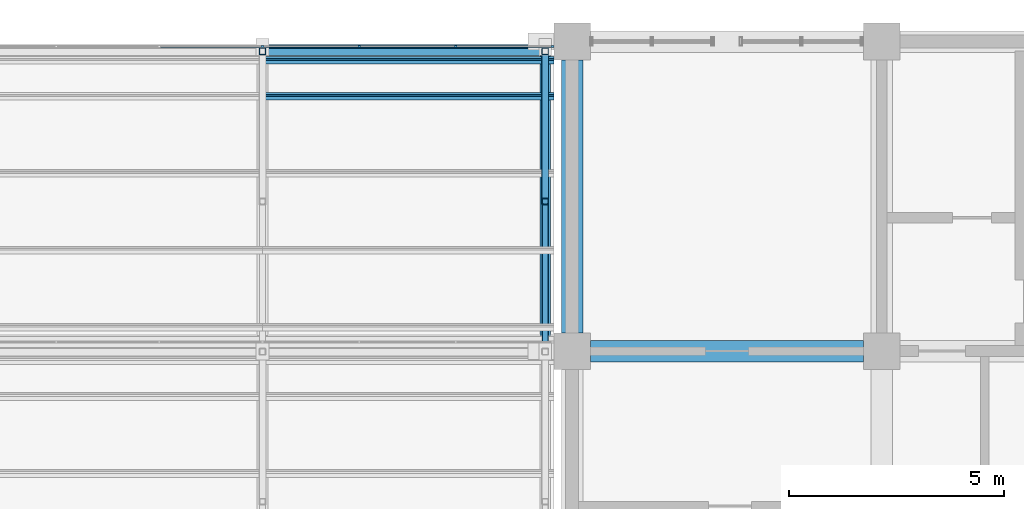
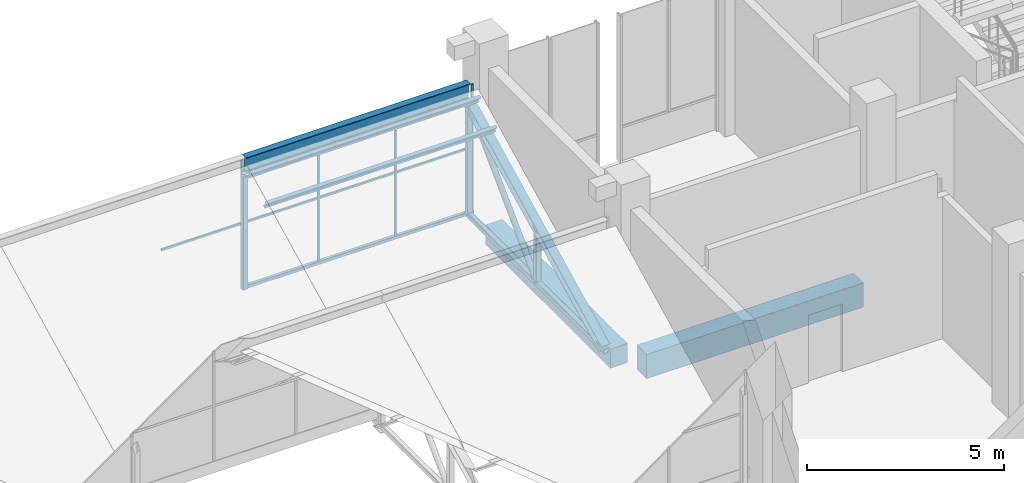
# One storey, part 57 of 83: 18 members, 2 beams, 2 elements without a shape of their own.
"""IFC4 building model written with IfcOpenShell, lengths in metres."""

from ifc_helpers import new_model, si_unit, direction, frame, origin, origin_2d, place, context, subcontext, project, spatial, rectangle, hollow_rectangle, hollow_circle, i_section, extrude, material, material_profile, profile_set, type_object, element, aggregate, save


model = new_model("IFC4")

# Units and contexts
model_context = context("Model", 3, precision=1e-05, world=origin(), true_north=direction((0.0, 1.0)))
body_context = subcontext(model_context, "Body", "Model", "MODEL_VIEW")
ifc_project = project(units=[si_unit("LENGTHUNIT", "METRE"), si_unit("AREAUNIT", "SQUARE_METRE"), si_unit("VOLUMEUNIT", "CUBIC_METRE"), si_unit("PLANEANGLEUNIT", "RADIAN"), si_unit("MASSUNIT", "GRAM", prefix="KILO")], contexts=[model_context])

# Site, building, storey
site_placement = place(None, origin())
site = spatial("IfcSite", under=ifc_project, at=site_placement, CompositionType="ELEMENT")
building_placement = place(site_placement, origin())
building = spatial("IfcBuilding", under=site, at=building_placement, Name="Silangan Lancet Faculty of Sciences", CompositionType="ELEMENT")
storey_placement = place(building_placement, frame((0.0, 0.0, 11.39990234375)))
storey = spatial("IfcBuildingStorey", under=building, at=storey_placement, Name="L02", CompositionType="ELEMENT", Elevation=11.39990234375)

# Beams
ifc_material_1 = material(Name="Concrete C40/50", Category="concrete")
ifc_material_profile_1 = material_profile(ifc_material_1, rectangle(XDim=0.5, YDim=0.60009765625, at=origin_2d()), Name="RC 500x600")
ifc_profile_set_1 = profile_set([ifc_material_profile_1], Name="Concrete C40/50")
beam_type_1 = type_object("IfcBeamType", Name="BEAM RC 500x600", PredefinedType="BEAM", material=ifc_profile_set_1)
beam_1_placement = place(storey_placement, frame((72.0, 50.824951171875, -0.5498046875), z_axis=(0.0, 1.0, 0.0), x_axis=(-1.0, 0.0, 0.0)))
element("IfcBeam", 1, at=beam_1_placement, inside=storey, type_object=beam_type_1, Name="BM-L02-11H-11I", PredefinedType="BEAM", context=body_context, shape_type="SweptSolid", body=[
    extrude(rectangle(XDim=0.5, YDim=0.60009765625, at=origin_2d()), origin(), (0.0, 0.0, 1.0), 6.35009765625),
])
ifc_material_2 = material(Name="Concrete C40/50", Category="concrete")
ifc_material_profile_2 = material_profile(ifc_material_2, rectangle(XDim=0.5, YDim=0.75, at=origin_2d()), Name="RC 500x750")
ifc_profile_set_2 = profile_set([ifc_material_profile_2], Name="Concrete C40/50")
beam_type_2 = type_object("IfcBeamType", Name="BEAM RC 500x750", PredefinedType="BEAM", material=ifc_profile_set_2)
beam_2_placement = place(storey_placement, frame((72.425048828125, 50.39990234375, -0.625), z_axis=(1.0, 0.0, 0.0), x_axis=(0.0, 1.0, 0.0)))
element("IfcBeam", 2, at=beam_2_placement, inside=storey, type_object=beam_type_2, Name="BM-L02-11H-12H", PredefinedType="BEAM", context=body_context, shape_type="SweptSolid", body=[
    extrude(rectangle(XDim=0.5, YDim=0.75, at=origin_2d()), origin(), (0.0, 0.0, 1.0), 6.349853515625),
])

# Members
ifc_material_3 = material(Name="Steel SS400", Category="steel")
ifc_material_profile_3 = material_profile(ifc_material_3, i_section(OverallWidth=0.199951171875, OverallDepth=0.5, WebThickness=0.010009765625, FlangeThickness=0.01611328125, FilletRadius=0.02001953125, at=origin_2d()), Name="H 500x200x10x16")
ifc_profile_set_3 = profile_set([ifc_material_profile_3], Name="Steel SS400")
member_type_1 = type_object("IfcMemberType", Name="Exposed ridge beam H 500x200x10x16", PredefinedType="MEMBER", material=ifc_profile_set_3)
member_1_placement = place(storey_placement, frame((64.800048828125, 57.3701171875, 3.942626953125), z_axis=(1.0, 0.0, 0.0), x_axis=(0.0, 1.0, 0.0)))
element("IfcMember", 3, at=member_1_placement, inside=storey, type_object=member_type_1, Name="Exposed ridge beam NAB-3-6", PredefinedType="MEMBER", context=body_context, shape_type="SweptSolid", body=[
    extrude(i_section(OverallWidth=0.199951171875, OverallDepth=0.5, WebThickness=0.010009765625, FlangeThickness=0.01611328125, FilletRadius=0.02001953125, at=origin_2d()), origin(), (0.0, 0.0, 1.0), 6.574951171875),
])
ifc_material_4 = material(Name="Steel STKR400", Category="steel")
ifc_material_profile_4 = material_profile(ifc_material_4, hollow_rectangle(XDim=0.10009765625, YDim=0.10009765625, WallThickness=0.006103515625, InnerFilletRadius=0.006103515625, OuterFilletRadius=0.011962890625, at=origin_2d()), Name="SHS 100x100x6.0")
ifc_profile_set_4 = profile_set([ifc_material_profile_4], Name="Steel STKR400")
member_type_2 = type_object("IfcMemberType", Name="Light sill SHS 100x100x6.0", PredefinedType="MEMBER", material=ifc_profile_set_4)
member_2_placement = place(storey_placement, frame((64.800048828125, 57.485107421875, 0.050048828125), z_axis=(1.0, 0.0, 0.0), x_axis=(0.0, 1.0, 0.0)))
element("IfcMember", 4, at=member_2_placement, inside=storey, type_object=member_type_2, Name="North light sill NAB-3-6", PredefinedType="MEMBER", context=body_context, shape_type="SweptSolid", body=[
    extrude(hollow_rectangle(XDim=0.10009765625, YDim=0.10009765625, WallThickness=0.006103515625, InnerFilletRadius=0.006103515625, OuterFilletRadius=0.011962890625, at=origin_2d()), origin(), (0.0, 0.0, 1.0), 6.77490234375),
])

# Curtain wall, members
ifc_material_5 = material(Name="Aluminium and laminated glass", Category="aluminium")
curtain_wall_type = type_object("IfcCurtainWallType", Name="North light glazing system", PredefinedType="NOTDEFINED", material=ifc_material_5)
curtain_wall_1_placement = place(storey_placement, origin())
curtain_wall_1 = element("IfcCurtainWall", 5, at=curtain_wall_1_placement, inside=storey, type_object=curtain_wall_type, Name="North light glazing NAB-3-6", PredefinedType="NOTDEFINED")
ifc_material_6 = material(Name="Aluminium 6063-T6", Category="aluminium")
ifc_material_profile_5 = material_profile(ifc_material_6, rectangle(XDim=0.06005859375, YDim=0.050048828125, at=origin_2d()), Name="AL 60x50")
ifc_profile_set_5 = profile_set([ifc_material_profile_5], Name="Aluminium 6063-T6")
member_type_3 = type_object("IfcMemberType", Name="North light mullion 60x50", PredefinedType="MULLION", material=ifc_profile_set_5)
member_3_placement = place(storey_placement, frame((64.800048828125, 57.485107421875, 0.10009765625), z_axis=(0.0, 0.0, 1.0), x_axis=(1.0, 0.0, 0.0)))
member_3 = element("IfcMember", 6, at=member_3_placement, type_object=member_type_3, Name="North light mullion NAB-3-6 1", PredefinedType="MULLION", context=body_context, shape_type="SweptSolid", body=[
    extrude(rectangle(XDim=0.06005859375, YDim=0.050048828125, at=origin_2d()), origin(), (0.0, 0.0, 1.0), 3.89404296875),
])
member_4_placement = place(storey_placement, frame((67.04833984375, 57.485107421875, 0.10009765625), z_axis=(0.0, 0.0, 1.0), x_axis=(1.0, 0.0, 0.0)))
member_4 = element("IfcMember", 7, at=member_4_placement, type_object=member_type_3, Name="North light mullion NAB-3-6 2", PredefinedType="MULLION", context=body_context, shape_type="SweptSolid", body=[
    extrude(rectangle(XDim=0.06005859375, YDim=0.050048828125, at=origin_2d()), origin(), (0.0, 0.0, 1.0), 3.89404296875),
])
member_5_placement = place(storey_placement, frame((69.296630859375, 57.485107421875, 0.10009765625), z_axis=(0.0, 0.0, 1.0), x_axis=(1.0, 0.0, 0.0)))
member_5 = element("IfcMember", 8, at=member_5_placement, type_object=member_type_3, Name="North light mullion NAB-3-6 3", PredefinedType="MULLION", context=body_context, shape_type="SweptSolid", body=[
    extrude(rectangle(XDim=0.06005859375, YDim=0.050048828125, at=origin_2d()), origin(), (0.0, 0.0, 1.0), 3.89404296875),
])
member_6_placement = place(storey_placement, frame((71.544921875, 57.485107421875, 0.10009765625), z_axis=(0.0, 0.0, 1.0), x_axis=(1.0, 0.0, 0.0)))
member_6 = element("IfcMember", 9, at=member_6_placement, type_object=member_type_3, Name="North light mullion NAB-3-6 4", PredefinedType="MULLION", context=body_context, shape_type="SweptSolid", body=[
    extrude(rectangle(XDim=0.06005859375, YDim=0.050048828125, at=origin_2d()), origin(), (0.0, 0.0, 1.0), 3.89404296875),
])

# Curtain wall, member
curtain_wall_2_placement = place(storey_placement, origin())
curtain_wall_2 = element("IfcCurtainWall", 10, at=curtain_wall_2_placement, inside=storey, type_object=curtain_wall_type, Name="North light glazing NAB-3-5", PredefinedType="NOTDEFINED")
ifc_material_7 = material(Name="Aluminium 6063-T6", Category="aluminium")
ifc_material_profile_6 = material_profile(ifc_material_7, rectangle(XDim=0.050048828125, YDim=0.06005859375, at=origin_2d()), Name="AL 50x60")
ifc_profile_set_6 = profile_set([ifc_material_profile_6], Name="Aluminium 6063-T6")
member_type_4 = type_object("IfcMemberType", Name="North light transom 50x60", PredefinedType="USERDEFINED", material=ifc_profile_set_6)
member_7_placement = place(storey_placement, frame((62.429931640625, 57.485107421875, 2.047119140625), z_axis=(1.0, 0.0, 0.0), x_axis=(0.0, 1.0, 0.0)))
member_7 = element("IfcMember", 11, at=member_7_placement, type_object=member_type_4, Name="North light transom NAB-3-5 3", ObjectType="TRANSOM", PredefinedType="USERDEFINED", context=body_context, shape_type="SweptSolid", body=[
    extrude(rectangle(XDim=0.050048828125, YDim=0.06005859375, at=origin_2d()), origin(), (0.0, 0.0, 1.0), 2.340087890625),
])
aggregate(curtain_wall_2, [member_7])

# Member
member_8_placement = place(storey_placement, frame((64.830078125, 57.485107421875, 2.047119140625), z_axis=(1.0, 0.0, 0.0), x_axis=(0.0, 1.0, 0.0)))
member_8 = element("IfcMember", 12, at=member_8_placement, type_object=member_type_4, Name="North light transom NAB-3-6 1", ObjectType="TRANSOM", PredefinedType="USERDEFINED", context=body_context, shape_type="SweptSolid", body=[
    extrude(rectangle(XDim=0.050048828125, YDim=0.06005859375, at=origin_2d()), origin(), (0.0, 0.0, 1.0), 2.188232421875),
])

member_9_placement = place(storey_placement, frame((67.078369140625, 57.485107421875, 2.047119140625), z_axis=(1.0, 0.0, 0.0), x_axis=(0.0, 1.0, 0.0)))
member_9 = element("IfcMember", 13, at=member_9_placement, type_object=member_type_4, Name="North light transom NAB-3-6 2", ObjectType="TRANSOM", PredefinedType="USERDEFINED", context=body_context, shape_type="SweptSolid", body=[
    extrude(rectangle(XDim=0.050048828125, YDim=0.06005859375, at=origin_2d()), origin(), (0.0, 0.0, 1.0), 2.188232421875),
])

member_10_placement = place(storey_placement, frame((69.32666015625, 57.485107421875, 2.047119140625), z_axis=(1.0, 0.0, 0.0), x_axis=(0.0, 1.0, 0.0)))
member_10 = element("IfcMember", 14, at=member_10_placement, type_object=member_type_4, Name="North light transom NAB-3-6 3", ObjectType="TRANSOM", PredefinedType="USERDEFINED", context=body_context, shape_type="SweptSolid", body=[
    extrude(rectangle(XDim=0.050048828125, YDim=0.06005859375, at=origin_2d()), origin(), (0.0, 0.0, 1.0), 2.248291015625),
])

aggregate(curtain_wall_1, [member_3, member_4, member_5, member_6, member_8, member_9, member_10])

# Members
ifc_material_8 = material(Name="Steel SS400", Category="steel")
ifc_material_profile_7 = material_profile(ifc_material_8, i_section(OverallWidth=0.10009765625, OverallDepth=0.199951171875, WebThickness=0.005615234375, FlangeThickness=0.008056640625, FilletRadius=0.008056640625, at=origin_2d()), Name="H 200x100x5.5x8")
ifc_profile_set_7 = profile_set([ifc_material_profile_7], Name="Steel SS400")
member_type_5 = type_object("IfcMemberType", Name="Sheeting purlin H 200x100x5.5x8", PredefinedType="PURLIN", material=ifc_profile_set_7)
for number, where, z_axis, x_axis, name in (
    (15, (64.800048828125, 56.3251953125, 3.31494140625), (1.0, 0.0, 0.0), (0.0, 0.894427192382, 0.447213592736), "Sheeting purlin NAB-3-6 4"),
    (16, (64.800048828125, 57.162109375, 3.7333984375), (1.0, 0.0, 0.0), (0.0, 0.894427192382, 0.447213592736), "Sheeting purlin NAB-3-6 5"),
):
    element("IfcMember", number, at=place(storey_placement, frame(where, z_axis=z_axis, x_axis=x_axis)), inside=storey, type_object=member_type_5, Name=name, PredefinedType="PURLIN", context=body_context, shape_type="SweptSolid", body=[
        extrude(i_section(OverallWidth=0.10009765625, OverallDepth=0.199951171875, WebThickness=0.005615234375, FlangeThickness=0.008056640625, FilletRadius=0.008056640625, at=origin_2d()), origin(), (0.0, 0.0, 1.0), 6.77490234375),
    ])
ifc_material_9 = material(Name="Steel STKR400", Category="steel")
ifc_material_profile_8 = material_profile(ifc_material_9, hollow_rectangle(XDim=0.14990234375, YDim=0.14990234375, WallThickness=0.009033203125, InnerFilletRadius=0.009033203125, OuterFilletRadius=0.01806640625, at=origin_2d()), Name="SHS 150x150x9.0")
ifc_profile_set_8 = profile_set([ifc_material_profile_8], Name="Steel STKR400")
member_type_6 = type_object("IfcMemberType", Name="Truss bottom chord SHS 150x150x9.0", PredefinedType="CHORD", material=ifc_profile_set_8)
member_11_placement = place(storey_placement, frame((71.375, 50.38818359375, 0.09521484375), z_axis=(0.0, 1.0, 0.0), x_axis=(-1.0, 0.0, 0.0)))
element("IfcMember", 17, at=member_11_placement, inside=storey, type_object=member_type_6, Name="Truss 7 bottom chord 3", PredefinedType="CHORD", context=body_context, shape_type="SweptSolid", body=[
    extrude(hollow_rectangle(XDim=0.14990234375, YDim=0.14990234375, WallThickness=0.009033203125, InnerFilletRadius=0.009033203125, OuterFilletRadius=0.01806640625, at=origin_2d()), origin(), (0.0, 0.0, 1.0), 6.98193359375),
])
ifc_material_10 = material(Name="Steel STK400", Category="steel")
ifc_material_profile_9 = material_profile(ifc_material_10, hollow_circle(Radius=0.08251953125, WallThickness=0.0048828125, at=origin_2d()), Name="CHS 165.2x5.0")
ifc_profile_set_9 = profile_set([ifc_material_profile_9], Name="Steel STK400")
member_type_7 = type_object("IfcMemberType", Name="Truss diagonal CHS 165.2x5.0", PredefinedType="BRACE", material=ifc_profile_set_9)
member_12_placement = place(storey_placement, frame((71.375, 53.879150390625, 0.09521484375), z_axis=(0.0, 0.707131507361, 0.707082054147), x_axis=(-1.0, 0.0, 0.0)))
element("IfcMember", 18, at=member_12_placement, inside=storey, type_object=member_type_7, Name="Truss 7 diagonal 3", PredefinedType="BRACE", context=body_context, shape_type="SweptSolid", body=[
    extrude(hollow_circle(Radius=0.08251953125, WallThickness=0.0048828125, at=origin_2d()), origin(), (0.0, 0.0, 1.0), 4.936767578125),
])
ifc_material_11 = material(Name="Steel STKR400", Category="steel")
ifc_material_profile_10 = material_profile(ifc_material_11, hollow_rectangle(XDim=0.14990234375, YDim=0.14990234375, WallThickness=0.006103515625, InnerFilletRadius=0.006103515625, OuterFilletRadius=0.011962890625, at=origin_2d()), Name="SHS 150x150x6.0")
ifc_profile_set_10 = profile_set([ifc_material_profile_10], Name="Steel STKR400")
member_type_8 = type_object("IfcMemberType", Name="Truss post SHS 150x150x6.0", PredefinedType="POST", material=ifc_profile_set_10)
for number, where, z_axis, x_axis, name in (
    (19, (64.800048828125, 57.3701171875, 0.09521484375), (0.0, 0.0, 1.0), (1.0, 0.0, 0.0), "Truss 6 riser post 3"),
    (20, (71.375, 57.3701171875, 0.09521484375), (0.0, 0.0, 1.0), (1.0, 0.0, 0.0), "Truss 7 riser post 3"),
):
    element("IfcMember", number, at=place(storey_placement, frame(where, z_axis=z_axis, x_axis=x_axis)), inside=storey, type_object=member_type_8, Name=name, PredefinedType="POST", context=body_context, shape_type="SweptSolid", body=[
        extrude(hollow_rectangle(XDim=0.14990234375, YDim=0.14990234375, WallThickness=0.006103515625, InnerFilletRadius=0.006103515625, OuterFilletRadius=0.011962890625, at=origin_2d()), origin(), (0.0, 0.0, 1.0), 3.49072265625),
    ])
member_13_placement = place(storey_placement, frame((71.375, 53.879150390625, 0.09521484375), z_axis=(0.0, 0.0, 1.0), x_axis=(1.0, 0.0, 0.0)))
element("IfcMember", 21, at=member_13_placement, inside=storey, type_object=member_type_8, Name="Truss 7 mid post 3", PredefinedType="POST", context=body_context, shape_type="SweptSolid", body=[
    extrude(hollow_rectangle(XDim=0.14990234375, YDim=0.14990234375, WallThickness=0.006103515625, InnerFilletRadius=0.006103515625, OuterFilletRadius=0.011962890625, at=origin_2d()), origin(), (0.0, 0.0, 1.0), 1.745361328125),
])
ifc_material_12 = material(Name="Steel SS400", Category="steel")
ifc_material_profile_11 = material_profile(ifc_material_12, i_section(OverallWidth=0.25, OverallDepth=0.25, WebThickness=0.009033203125, FlangeThickness=0.013916015625, FilletRadius=0.01611328125, at=origin_2d()), Name="H 250x250x9x14")
ifc_profile_set_11 = profile_set([ifc_material_profile_11], Name="Steel SS400")
member_type_9 = type_object("IfcMemberType", Name="Truss top chord H 250x250x9x14", PredefinedType="CHORD", material=ifc_profile_set_11)
member_14_placement = place(storey_placement, frame((71.375, 50.46875, 0.13525390625), z_axis=(0.0, 0.894427191, 0.4472135955), x_axis=(-1.0, 0.0, 0.0)))
element("IfcMember", 22, at=member_14_placement, inside=storey, type_object=member_type_9, Name="Truss 7 top chord 3", PredefinedType="CHORD", context=body_context, shape_type="SweptSolid", body=[
    extrude(i_section(OverallWidth=0.25, OverallDepth=0.25, WebThickness=0.009033203125, FlangeThickness=0.013916015625, FilletRadius=0.01611328125, at=origin_2d()), origin(), (0.0, 0.0, 1.0), 7.716064453125),
])

save(model, "model.ifc")
